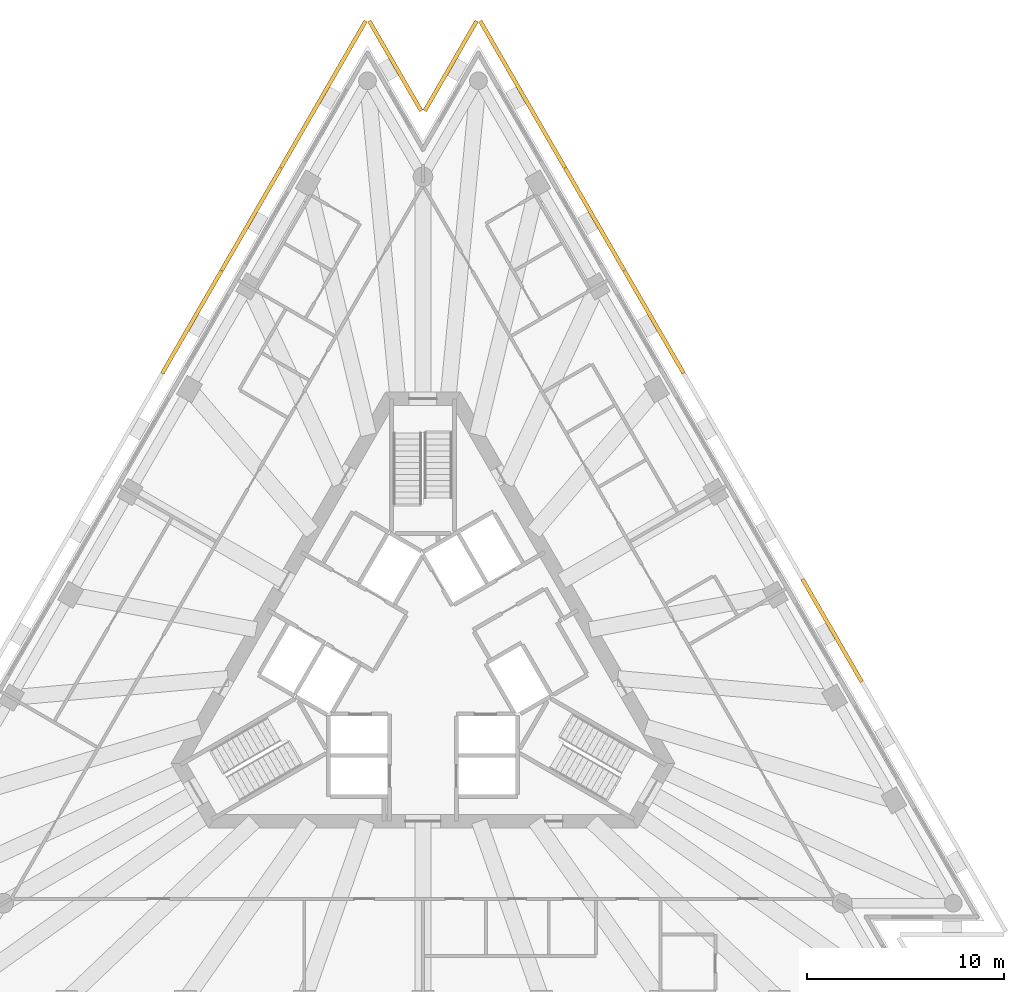
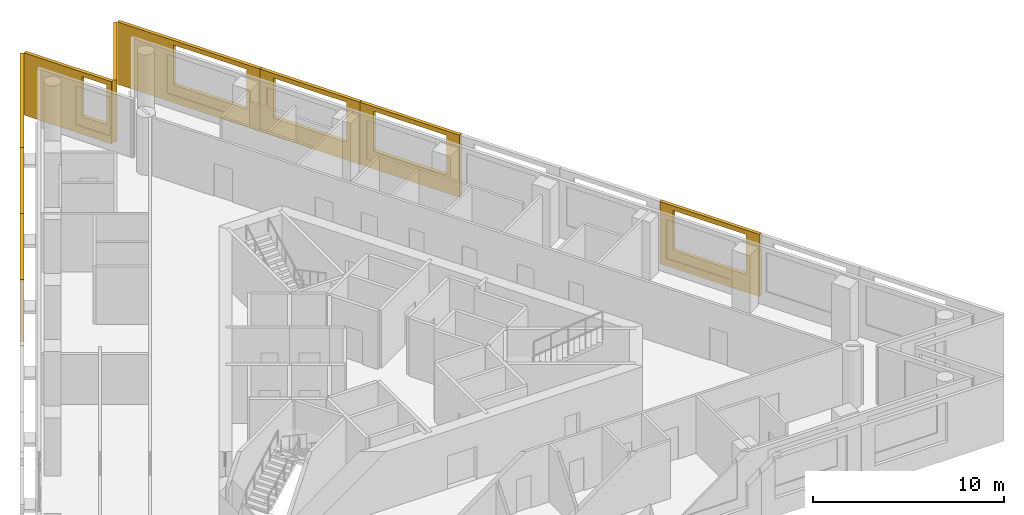
# One storey, part 9 of 9: 9 shading devices.
"""IFC4 building model written with IfcOpenShell, lengths in metres."""

from ifc_helpers import new_model, si_unit, direction, frame, origin, place, context, subcontext, project, spatial, polyline, outline, extrude, material, layer, layer_set, type_object, element, save


model = new_model("IFC4")

# Units and contexts
model_context = context("Model", 3, precision=1e-05, world=origin(), true_north=direction((0.0, 1.0)))
body_context = subcontext(model_context, "Body", "Model", "MODEL_VIEW")
ifc_project = project(units=[si_unit("LENGTHUNIT", "METRE"), si_unit("AREAUNIT", "SQUARE_METRE"), si_unit("VOLUMEUNIT", "CUBIC_METRE"), si_unit("PLANEANGLEUNIT", "RADIAN"), si_unit("MASSUNIT", "GRAM", prefix="KILO")], contexts=[model_context])

# Site, building, storey
site_placement = place(None, origin())
site = spatial("IfcSite", under=ifc_project, at=site_placement, CompositionType="ELEMENT")
building_placement = place(site_placement, origin())
building = spatial("IfcBuilding", under=site, at=building_placement, Name="Triada Interchange Tower", CompositionType="ELEMENT")
storey_placement = place(building_placement, frame((0.0, 0.0, 223.300048828125)))
storey = spatial("IfcBuildingStorey", under=building, at=storey_placement, Name="L52", CompositionType="ELEMENT", Elevation=223.300048828125)

# Shading devices
ifc_material = material(Name="Concrete C50/60 precast", Category="concrete")
ifc_layer_1 = layer(ifc_material, 0.02001953125, Name="Exposed aggregate face")
ifc_layer_2 = layer(ifc_material, 0.179931640625, Name="Precast concrete screen")
ifc_layer_set = layer_set([ifc_layer_1, ifc_layer_2], Name="Outer skin screen panel 3980")
shading_device_type = type_object("IfcShadingDeviceType", Name="Outer skin screen panel 3980", PredefinedType="SHUTTER", material=ifc_layer_set)
shading_device_1_placement = place(storey_placement, frame((-2.827880859375, 32.52099609375, -0.2900390625), z_axis=(0.0, 0.0, 1.0), x_axis=(-0.499971748216, -0.866041714345, 0.0)))
element("IfcShadingDevice", 1, at=shading_device_1_placement, inside=storey, type_object=shading_device_type, Name="Outer skin screen panel L52 01", PredefinedType="SHUTTER", context=body_context, shape_type="SweptSolid", body=[
    extrude(outline(polyline([(0.0, 0.0), (8.61865234375, 0.0), (8.61865234375, 3.97998046875), (0.0, 3.97998046875), (0.0, 0.0)]), holes=[polyline([(3.40869140625, 1.139892578125), (3.40869140625, 3.68994140625), (7.80859375, 3.68994140625), (7.80859375, 1.139892578125), (3.40869140625, 1.139892578125)])]), frame((0.0, 0.0, 0.0), z_axis=(0.0, -1.0, 0.0), x_axis=(1.0, 0.0, 0.0)), (0.0, 0.0, 1.0), 0.199951171875),
])
shading_device_2_placement = place(storey_placement, frame((-7.14697265625, 25.0400390625, -0.2900390625), z_axis=(0.0, 0.0, 1.0), x_axis=(-0.500076946771, -0.865980973987, 0.0)))
element("IfcShadingDevice", 2, at=shading_device_2_placement, inside=storey, type_object=shading_device_type, Name="Outer skin screen panel L52 02", PredefinedType="SHUTTER", context=body_context, shape_type="SweptSolid", body=[
    extrude(outline(polyline([(0.0, 0.0), (6.02099609375, 0.0), (6.02099609375, 3.97998046875), (0.0, 3.97998046875), (0.0, 0.0)]), holes=[polyline([(0.81005859375, 1.139892578125), (0.81005859375, 3.68994140625), (5.2099609375, 3.68994140625), (5.2099609375, 1.139892578125), (0.81005859375, 1.139892578125)])]), frame((0.0, 0.0, 0.0), z_axis=(0.0, -1.0, 0.0), x_axis=(1.0, 0.0, 0.0)), (0.0, 0.0, 1.0), 0.199951171875),
])
shading_device_3_placement = place(storey_placement, frame((-10.16796875, 19.80908203125, -0.2900390625), z_axis=(0.0, 0.0, 1.0), x_axis=(-0.499955300828, -0.866051209326, 0.0)))
element("IfcShadingDevice", 3, at=shading_device_3_placement, inside=storey, type_object=shading_device_type, Name="Outer skin screen panel L52 03", PredefinedType="SHUTTER", context=body_context, shape_type="SweptSolid", body=[
    extrude(outline(polyline([(0.0, 0.0), (6.0205078125, 0.0), (6.0205078125, 3.97998046875), (0.0, 3.97998046875), (0.0, 0.0)]), holes=[polyline([(0.810546875, 1.139892578125), (0.810546875, 3.68994140625), (5.21044921875, 3.68994140625), (5.21044921875, 1.139892578125), (0.810546875, 1.139892578125)])]), frame((0.0, 0.0, 0.0), z_axis=(0.0, -1.0, 0.0), x_axis=(1.0, 0.0, 0.0)), (0.0, 0.0, 1.0), 0.199951171875),
])
shading_device_4_placement = place(storey_placement, frame((22.239013671875, -1.09912109375, -0.2900390625), z_axis=(0.0, 0.0, 1.0), x_axis=(-0.500076946771, 0.865980973987, 0.0)))
element("IfcShadingDevice", 4, at=shading_device_4_placement, inside=storey, type_object=shading_device_type, Name="Outer skin screen panel L52 23", PredefinedType="SHUTTER", context=body_context, shape_type="SweptSolid", body=[
    extrude(outline(polyline([(0.0, 0.0), (6.02099609375, 0.0), (6.02099609375, 3.97998046875), (0.0, 3.97998046875), (0.0, 0.0)]), holes=[polyline([(0.810302734375, 1.139892578125), (0.810302734375, 3.68994140625), (5.210205078125, 3.68994140625), (5.210205078125, 1.139892578125), (0.810302734375, 1.139892578125)])]), frame((0.0, 0.0, 0.0), z_axis=(0.0, -1.0, 0.0), x_axis=(1.0, 0.0, 0.0)), (0.0, 0.0, 1.0), 0.199951171875),
])
shading_device_5_placement = place(storey_placement, frame((13.177978515625, 14.594970703125, -0.2900390625), z_axis=(0.0, 0.0, 1.0), x_axis=(-0.499955300828, 0.866051209326, 0.0)))
element("IfcShadingDevice", 5, at=shading_device_5_placement, inside=storey, type_object=shading_device_type, Name="Outer skin screen panel L52 26", PredefinedType="SHUTTER", context=body_context, shape_type="SweptSolid", body=[
    extrude(outline(polyline([(0.0, 0.0), (6.0205078125, 0.0), (6.0205078125, 3.97998046875), (0.0, 3.97998046875), (0.0, 0.0)]), holes=[polyline([(0.810546875, 1.139892578125), (0.810546875, 3.68994140625), (5.210693359375, 3.68994140625), (5.210693359375, 1.139892578125), (0.810546875, 1.139892578125)])]), frame((0.0, 0.0, 0.0), z_axis=(0.0, -1.0, 0.0), x_axis=(1.0, 0.0, 0.0)), (0.0, 0.0, 1.0), 0.199951171875),
])
shading_device_6_placement = place(storey_placement, frame((10.157958984375, 19.825927734375, -0.2900390625), z_axis=(0.0, 0.0, 1.0), x_axis=(-0.500076946771, 0.865980973987, 0.0)))
element("IfcShadingDevice", 6, at=shading_device_6_placement, inside=storey, type_object=shading_device_type, Name="Outer skin screen panel L52 27", PredefinedType="SHUTTER", context=body_context, shape_type="SweptSolid", body=[
    extrude(outline(polyline([(0.0, 0.0), (6.02099609375, 0.0), (6.02099609375, 3.97998046875), (0.0, 3.97998046875), (0.0, 0.0)]), holes=[polyline([(0.81005859375, 1.139892578125), (0.81005859375, 3.68994140625), (5.210205078125, 3.68994140625), (5.210205078125, 1.139892578125), (0.81005859375, 1.139892578125)])]), frame((0.0, 0.0, 0.0), z_axis=(0.0, -1.0, 0.0), x_axis=(1.0, 0.0, 0.0)), (0.0, 0.0, 1.0), 0.199951171875),
])
shading_device_7_placement = place(storey_placement, frame((7.136962890625, 25.056884765625, -0.2900390625), z_axis=(0.0, 0.0, 1.0), x_axis=(-0.499971748216, 0.866041714345, 0.0)))
element("IfcShadingDevice", 7, at=shading_device_7_placement, inside=storey, type_object=shading_device_type, Name="Outer skin screen panel L52 28", PredefinedType="SHUTTER", context=body_context, shape_type="SweptSolid", body=[
    extrude(outline(polyline([(0.0, 0.0), (8.61865234375, 0.0), (8.61865234375, 3.97998046875), (0.0, 3.97998046875), (0.0, 0.0)]), holes=[polyline([(0.810546875, 1.139892578125), (0.810546875, 3.68994140625), (5.210693359375, 3.68994140625), (5.210693359375, 1.139892578125), (0.810546875, 1.139892578125)])]), frame((0.0, 0.0, 0.0), z_axis=(0.0, -1.0, 0.0), x_axis=(1.0, 0.0, 0.0)), (0.0, 0.0, 1.0), 0.199951171875),
])
shading_device_8_placement = place(storey_placement, frame((2.818115234375, 32.52099609375, -0.2900390625), z_axis=(0.0, 0.0, 1.0), x_axis=(-0.500148140063, -0.865939858184, 0.0)))
element("IfcShadingDevice", 8, at=shading_device_8_placement, inside=storey, type_object=shading_device_type, Name="Outer skin screen panel L52 29", PredefinedType="SHUTTER", context=body_context, shape_type="SweptSolid", body=[
    extrude(outline(polyline([(0.0, 0.0), (5.27880859375, 0.0), (5.27880859375, 3.97998046875), (0.0, 3.97998046875), (0.0, 0.0)]), holes=[polyline([(3.175537109375, 1.139892578125), (3.175537109375, 3.68994140625), (4.97900390625, 3.68994140625), (4.97900390625, 1.139892578125), (3.175537109375, 1.139892578125)])]), frame((0.0, 0.0, 0.0), z_axis=(0.0, -1.0, 0.0), x_axis=(1.0, 0.0, 0.0)), (0.0, 0.0, 1.0), 0.199951171875),
])
shading_device_9_placement = place(storey_placement, frame((-0.177978515625, 27.949951171875, -0.2900390625), z_axis=(0.0, 0.0, 1.0), x_axis=(-0.500148140063, 0.865939858184, 0.0)))
element("IfcShadingDevice", 9, at=shading_device_9_placement, inside=storey, type_object=shading_device_type, Name="Outer skin screen panel L52 30", PredefinedType="SHUTTER", context=body_context, shape_type="SweptSolid", body=[
    extrude(outline(polyline([(0.0, 0.0), (5.27880859375, 0.0), (5.27880859375, 3.97998046875), (0.0, 3.97998046875), (0.0, 0.0)]), holes=[polyline([(0.300048828125, 1.139892578125), (0.300048828125, 3.68994140625), (1.758056640625, 3.68994140625), (1.758056640625, 1.139892578125), (0.300048828125, 1.139892578125)])]), frame((0.0, 0.0, 0.0), z_axis=(0.0, -1.0, 0.0), x_axis=(1.0, 0.0, 0.0)), (0.0, 0.0, 1.0), 0.199951171875),
])

save(model, "model.ifc")
